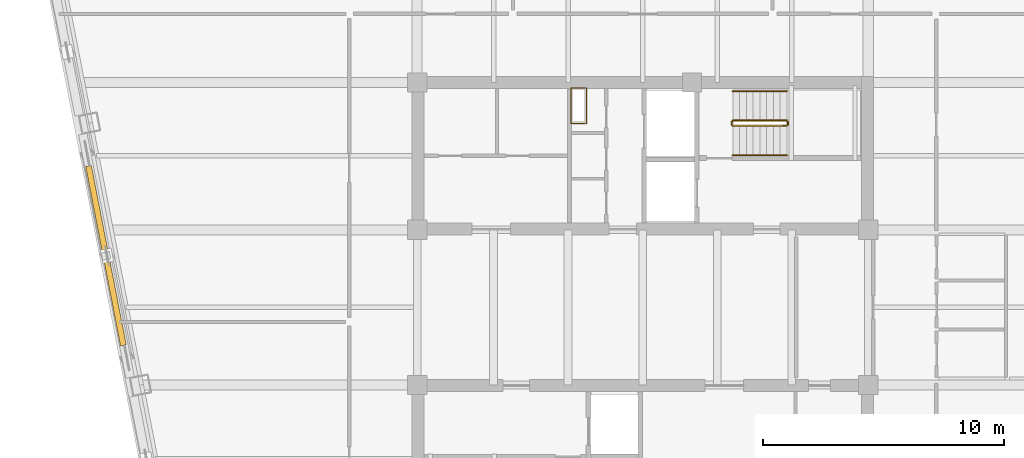
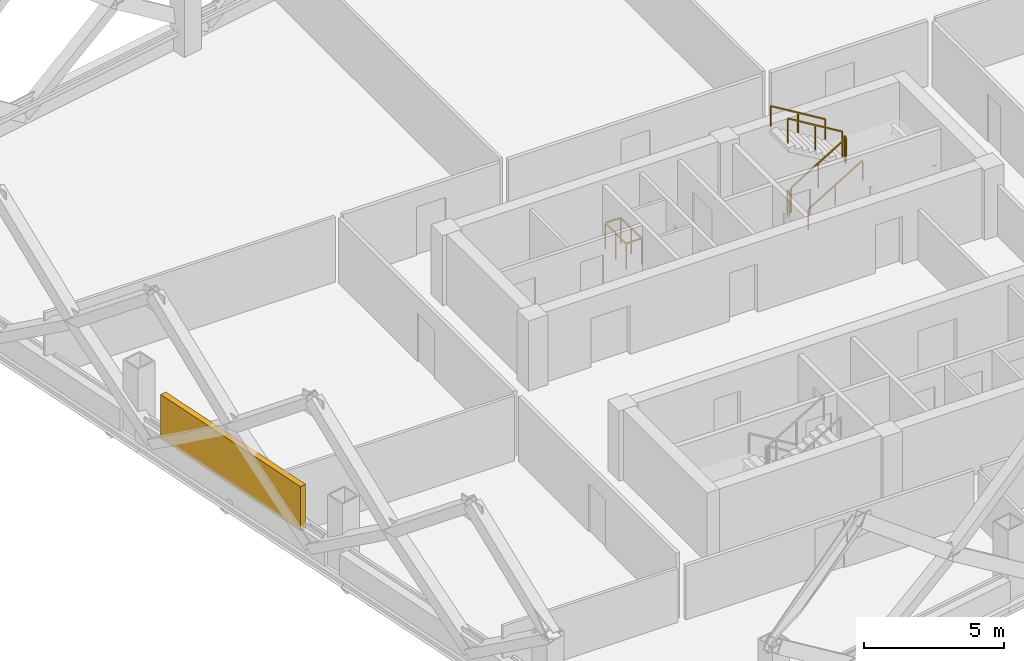
# One storey, part 8 of 9: 7 railings, 1 shading device.
"""IFC4 building model written with IfcOpenShell, lengths in metres."""

import ifcopenshell
import ifcopenshell.guid

model = None  # the IFC model being written
_history = None  # IfcOwnerHistory: only IFC2X3 demands one
_inside = {}  # id of a spatial element -> (the spatial element, [elements in it])
_under = {}  # id of a project, library or spatial element -> (it, [spatial elements below it])
_declared = {}  # id of a project -> (the project, [libraries it declares])
_typed = {}  # id of a type object -> (the type object, [elements of that type])
_made_of = {}  # id of a material, layer set ... -> (it, [elements and type objects made of it])


def new_model(schema):
    """Start an empty IFC model of exactly this schema.

    Asked for "IFC4X3", IfcOpenShell would pick the latest addendum, in which some entities
    have other attributes; the version numbers below select the first issue.
    IFC2X3 requires an IfcOwnerHistory on every rooted entity: one is made here for all.
    """
    global model, _history
    if schema == "IFC4X3":
        model = ifcopenshell.file(schema_version=(4, 3, 0, 0))
    else:
        model = ifcopenshell.file(schema=schema)
    _inside.clear()
    _under.clear()
    _declared.clear()
    _typed.clear()
    _made_of.clear()
    _history = None
    if model.schema == "IFC2X3":
        org = make("IfcOrganization", Name="unknown")
        user = make(
            "IfcPersonAndOrganization",
            ThePerson=make("IfcPerson", FamilyName="unknown"),
            TheOrganization=org,
        )
        app = make(
            "IfcApplication",
            ApplicationDeveloper=org,
            Version="unknown",
            ApplicationFullName="unknown",
            ApplicationIdentifier="unknown",
        )
        _history = make(
            "IfcOwnerHistory",
            OwningUser=user,
            OwningApplication=app,
            ChangeAction="ADDED",
            CreationDate=0,
        )
    return model


def make(cls, **values):
    """One entity of the class cls with the attributes given. An attribute that is None is left unset."""
    return model.create_entity(
        cls, **{name: value for name, value in values.items() if value is not None}
    )


def rooted(cls, **values):
    """An entity with a GlobalId (a new one), such as an element, a storey or a relation."""
    return make(cls, GlobalId=ifcopenshell.guid.new(), OwnerHistory=_history, **values)


def si_unit(unit_type, name, prefix=None):
    """IfcSIUnit, for example si_unit("LENGTHUNIT", "METRE", prefix="MILLI")."""
    return make("IfcSIUnit", UnitType=unit_type, Prefix=prefix, Name=name)


def assignment(units):
    """IfcUnitAssignment: the units of a project."""
    return None if units is None else make("IfcUnitAssignment", Units=units)


def point(xyz):
    """IfcCartesianPoint."""
    return None if xyz is None else make("IfcCartesianPoint", Coordinates=xyz)


def direction(xyz):
    """IfcDirection."""
    return None if xyz is None else make("IfcDirection", DirectionRatios=xyz)


def frame(location, z_axis=None, x_axis=None):
    """IfcAxis2Placement3D, a coordinate frame: its origin and axes. An axis left out is left unset."""
    return make(
        "IfcAxis2Placement3D",
        Location=point(location),
        Axis=direction(z_axis),
        RefDirection=direction(x_axis),
    )


def frame_2d(location, x_axis=None):
    """IfcAxis2Placement2D, a coordinate frame in the plane: its origin and x axis."""
    return make(
        "IfcAxis2Placement2D", Location=point(location), RefDirection=direction(x_axis)
    )


def origin():
    """The frame at (0, 0, 0) with its axes left unset."""
    return frame((0.0, 0.0, 0.0))


def origin_2d():
    """The frame at (0, 0) in the plane with its x axis left unset."""
    return frame_2d((0.0, 0.0))


def place(relative_to, where):
    """IfcLocalPlacement: puts the frame where relative to a parent placement (None: the world)."""
    return make(
        "IfcLocalPlacement", PlacementRelTo=relative_to, RelativePlacement=where
    )


def context(
    kind, dimensions, precision=None, world=None, true_north=None, identifier=None
):
    """IfcGeometricRepresentationContext, for example the 3D "Model" context."""
    return make(
        "IfcGeometricRepresentationContext",
        ContextIdentifier=identifier,
        ContextType=kind,
        CoordinateSpaceDimension=dimensions,
        Precision=precision,
        WorldCoordinateSystem=world,
        TrueNorth=true_north,
    )


def subcontext(parent, identifier, kind, view, scale=None):
    """IfcGeometricRepresentationSubContext, for example "Body" below "Model"."""
    return make(
        "IfcGeometricRepresentationSubContext",
        ContextIdentifier=identifier,
        ContextType=kind,
        ParentContext=parent,
        TargetScale=scale,
        TargetView=view,
    )


def project(units=None, contexts=None):
    """IfcProject with its units and contexts."""
    return rooted(
        "IfcProject",
        Name="project",
        RepresentationContexts=contexts,
        UnitsInContext=assignment(units),
    )


def spatial(cls, under=None, at=None, **own):
    """A site, building, storey or space (cls), placed at a placement, below another one or the project."""
    s = rooted(cls, ObjectPlacement=at, **own)
    if under is not None:
        _under.setdefault(under.id(), (under, []))[1].append(s)
    return s


def profile(cls, at=None, kind="AREA", **sizes):
    """A parametric profile (cls). Its sizes go by their IFC names, for example OverallWidth=200.0."""
    return make(cls, ProfileType=kind, Position=at, **sizes)


def rectangle(**sizes):
    """IfcRectangleProfileDef."""
    return profile("IfcRectangleProfileDef", **sizes)


def extrude(swept, where, along, depth):
    """IfcExtrudedAreaSolid: the profile swept, set in the frame where, extruded along a direction by depth."""
    return make(
        "IfcExtrudedAreaSolid",
        SweptArea=swept,
        Position=where,
        ExtrudedDirection=direction(along),
        Depth=depth,
    )


def shape(context_of_items, identifier, shape_type, items):
    """IfcShapeRepresentation: the items that make up one representation, for example the "Body"."""
    return make(
        "IfcShapeRepresentation",
        ContextOfItems=context_of_items,
        RepresentationIdentifier=identifier,
        RepresentationType=shape_type,
        Items=items,
    )


def material(Name=None, Category=None):
    """IfcMaterial."""
    return make("IfcMaterial", Name=Name, Category=Category)


def made_of(thing, what):
    """Note that an element or type object is made of a material, layer set ...; save() writes the relation."""
    if what is not None:
        _made_of.setdefault(what.id(), (what, []))[1].append(thing)
    return thing


def type_object(cls, material=None, **own):
    """A type object (cls), such as IfcWallType, which elements share."""
    return made_of(rooted(cls, **own), material)


def element(
    cls,
    number,
    at=None,
    inside=None,
    cuts=None,
    type_object=None,
    material=None,
    context=None,
    identifier="Body",
    shape_type=None,
    held_by="IfcProductDefinitionShape",
    body=None,
    shapes=None,
    **own,
):
    """One element of the class cls, such as IfcWall. Its Tag is "e" and its number.

    at: its placement. inside: the storey or other place that contains it. cuts: it is an
    opening in that element (IfcRelVoidsElement). A single representation is given by context,
    identifier, shape_type and body (its items); several are given by shapes. held_by: the class
    of the entity that holds the representations. save() writes the other relations.
    """
    e = rooted(cls, Tag="e%d" % number, ObjectPlacement=at, **own)
    if body is not None:
        shapes = [shape(context, identifier, shape_type, body)]
    if shapes is not None:
        e.Representation = make(held_by, Representations=shapes)
    if inside is not None:
        _inside.setdefault(inside.id(), (inside, []))[1].append(e)
    if cuts is not None:
        rooted(
            "IfcRelVoidsElement", RelatingBuildingElement=cuts, RelatedOpeningElement=e
        )
    if type_object is not None:
        _typed.setdefault(type_object.id(), (type_object, []))[1].append(e)
    return made_of(e, material)


def aggregate(whole, parts):
    """IfcRelAggregates: a whole, such as a stair, and the parts it consists of."""
    return rooted("IfcRelAggregates", RelatingObject=whole, RelatedObjects=parts)


def save(model, path):
    """Write the relations noted so far, then the file.

    IfcRelAggregates (storeys below a building ...), IfcRelContainedInSpatialStructure (elements
    in a storey), IfcRelDefinesByType, IfcRelAssociatesMaterial and IfcRelDeclares: one each for
    every whole, place, type object, material and project.
    """
    for whole, parts in _under.values():
        aggregate(whole, parts)
    for where, things in _inside.values():
        rooted(
            "IfcRelContainedInSpatialStructure",
            RelatedElements=things,
            RelatingStructure=where,
        )
    for kind, things in _typed.values():
        rooted("IfcRelDefinesByType", RelatedObjects=things, RelatingType=kind)
    for what, things in _made_of.values():
        rooted("IfcRelAssociatesMaterial", RelatedObjects=things, RelatingMaterial=what)
    for by, libraries in _declared.values():
        rooted("IfcRelDeclares", RelatingContext=by, RelatedDefinitions=libraries)
    model.write(path)


model = new_model("IFC4")

# Units and contexts
model_context = context("Model", 3, precision=1e-05, world=origin(), true_north=direction((0.0, 1.0)))
body_context = subcontext(model_context, "Body", "Model", "MODEL_VIEW")
ifc_project = project(units=[si_unit("LENGTHUNIT", "METRE"), si_unit("AREAUNIT", "SQUARE_METRE"), si_unit("VOLUMEUNIT", "CUBIC_METRE"), si_unit("PLANEANGLEUNIT", "RADIAN"), si_unit("MASSUNIT", "GRAM", prefix="KILO")], contexts=[model_context])

# Site, building, storey
site_placement = place(None, origin())
site = spatial("IfcSite", under=ifc_project, at=site_placement, CompositionType="ELEMENT")
building_placement = place(site_placement, origin())
building = spatial("IfcBuilding", under=site, at=building_placement, Name="Qhalaya Broadcast Tower", CompositionType="ELEMENT")
storey_placement = place(building_placement, frame((0.0, 0.0, 137.199951171875)))
storey = spatial("IfcBuildingStorey", under=building, at=storey_placement, Name="L40", CompositionType="ELEMENT", Elevation=137.199951171875)

# Railings
ifc_material_1 = material(Name="Powder-Coated Galvanised Steel", Category="steel")
railing_type_1 = type_object("IfcRailingType", Name="Stair Wall Handrail 900", PredefinedType="HANDRAIL", material=ifc_material_1)
railing_1_placement = place(storey_placement, frame((3.75, 6.929931640625, 0.16943359375)))
element("IfcRailing", 1, at=railing_1_placement, inside=storey, type_object=railing_type_1, Name="L40 ST-1 Stair Handrail 1", PredefinedType="HANDRAIL", context=body_context, shape_type="SweptSolid", body=[
    extrude(rectangle(XDim=0.048095703125, YDim=0.048095703125, at=origin_2d()), frame((0.0, 0.0, 0.8759765625), z_axis=(0.855512035549, 0.0, 0.517782924622), x_axis=(0.0, 1.0, 0.0)), (0.0, 0.0, 1.0), 2.618408203125),
    extrude(rectangle(XDim=0.0419921875, YDim=0.0419921875, at=origin_2d()), origin(), (0.0, 0.0, 1.0), 0.849853515625),
    extrude(rectangle(XDim=0.0419921875, YDim=0.0419921875, at=origin_2d()), frame((1.1201171875, 0.0, 0.677734375)), (0.0, 0.0, 1.0), 0.849853515625),
    extrude(rectangle(XDim=0.0419921875, YDim=0.0419921875, at=origin_2d()), frame((2.239990234375, 0.0, 1.355712890625)), (0.0, 0.0, 1.0), 0.849853515625),
])
railing_2_placement = place(storey_placement, frame((5.989990234375, 9.590087890625, 1.694580078125)))
element("IfcRailing", 2, at=railing_2_placement, inside=storey, type_object=railing_type_1, Name="L40 ST-1 Stair Handrail 2", PredefinedType="HANDRAIL", context=body_context, shape_type="SweptSolid", body=[
    extrude(rectangle(XDim=0.048095703125, YDim=0.048095703125, at=origin_2d()), frame((0.0, 0.0, 0.8759765625), z_axis=(-0.855553338991, 0.0, 0.51771467445), x_axis=(0.0, -1.0, 0.0)), (0.0, 0.0, 1.0), 2.6181640625),
    extrude(rectangle(XDim=0.0419921875, YDim=0.0419921875, at=origin_2d()), origin(), (0.0, 0.0, 1.0), 0.849853515625),
    extrude(rectangle(XDim=0.0419921875, YDim=0.0419921875, at=origin_2d()), frame((-1.1201171875, 0.0, 0.677734375)), (0.0, 0.0, 1.0), 0.849853515625),
    extrude(rectangle(XDim=0.0419921875, YDim=0.0419921875, at=origin_2d()), frame((-2.239990234375, 0.0, 1.35546875)), (0.0, 0.0, 1.0), 0.849853515625),
])
railing_type_2 = type_object("IfcRailingType", Name="Stair Well & Landing Guardrail 1100", PredefinedType="GUARDRAIL", material=ifc_material_1)
railing_3_placement = place(storey_placement, frame((-2.340087890625, 8.239990234375, 0.0)))
element("IfcRailing", 3, at=railing_3_placement, inside=storey, type_object=railing_type_2, Name="L40 Service Riser Opening Safety Guard NRSR", PredefinedType="GUARDRAIL", context=body_context, shape_type="SweptSolid", body=[
    extrude(rectangle(XDim=0.048095703125, YDim=0.048095703125, at=origin_2d()), frame((0.0, 0.02880859375, 1.1259765625), z_axis=(0.0, 1.0, 0.0), x_axis=(-1.0, 0.0, 0.0)), (0.0, 0.0, 1.0), 1.42236328125),
    extrude(rectangle(XDim=0.048095703125, YDim=0.048095703125, at=origin_2d()), frame((-0.02880859375, 1.47998046875, 1.1259765625), z_axis=(-1.0, 0.0, 0.0), x_axis=(0.0, -1.0, 0.0)), (0.0, 0.0, 1.0), 0.582275390625),
    extrude(rectangle(XDim=0.048095703125, YDim=0.048095703125, at=origin_2d()), frame((-0.639892578125, 1.451171875, 1.1259765625), z_axis=(0.0, -1.0, 0.0), x_axis=(1.0, 0.0, 0.0)), (0.0, 0.0, 1.0), 1.42236328125),
    extrude(rectangle(XDim=0.048095703125, YDim=0.048095703125, at=origin_2d()), frame((-0.611083984375, 0.0, 1.1259765625), z_axis=(1.0, 0.0, 0.0), x_axis=(0.0, 1.0, 0.0)), (0.0, 0.0, 1.0), 0.582275390625),
    extrude(rectangle(XDim=0.0419921875, YDim=0.0419921875, at=origin_2d()), origin(), (0.0, 0.0, 1.0), 1.099853515625),
    extrude(rectangle(XDim=0.0419921875, YDim=0.0419921875, at=origin_2d()), frame((0.0, 0.739990234375, 0.0)), (0.0, 0.0, 1.0), 1.099853515625),
    extrude(rectangle(XDim=0.0419921875, YDim=0.0419921875, at=origin_2d()), frame((0.0, 1.47998046875, 0.0)), (0.0, 0.0, 1.0), 1.099853515625),
    extrude(rectangle(XDim=0.0419921875, YDim=0.0419921875, at=origin_2d()), frame((-0.639892578125, 1.47998046875, 0.0)), (0.0, 0.0, 1.0), 1.099853515625),
    extrude(rectangle(XDim=0.0419921875, YDim=0.0419921875, at=origin_2d()), frame((-0.639892578125, 0.739990234375, 0.0)), (0.0, 0.0, 1.0), 1.099853515625),
    extrude(rectangle(XDim=0.0419921875, YDim=0.0419921875, at=origin_2d()), frame((-0.639892578125, 0.0, 0.0)), (0.0, 0.0, 1.0), 1.099853515625),
])
railing_4_placement = place(storey_placement, frame((3.75, 8.14990234375, 0.16943359375)))
element("IfcRailing", 4, at=railing_4_placement, inside=storey, type_object=railing_type_2, Name="L40 ST-1 Stair Guard 1", PredefinedType="GUARDRAIL", context=body_context, shape_type="SweptSolid", body=[
    extrude(rectangle(XDim=0.048095703125, YDim=0.048095703125, at=origin_2d()), frame((0.0, 0.0, 1.076171875), z_axis=(0.855512035549, 0.0, 0.517782924622), x_axis=(0.0, 1.0, 0.0)), (0.0, 0.0, 1.0), 2.618408203125),
    extrude(rectangle(XDim=0.0419921875, YDim=0.0419921875, at=origin_2d()), origin(), (0.0, 0.0, 1.0), 1.050048828125),
    extrude(rectangle(XDim=0.0419921875, YDim=0.0419921875, at=origin_2d()), frame((1.1201171875, 0.0, 0.677734375)), (0.0, 0.0, 1.0), 1.050048828125),
    extrude(rectangle(XDim=0.0419921875, YDim=0.0419921875, at=origin_2d()), frame((2.239990234375, 0.0, 1.355712890625)), (0.0, 0.0, 1.0), 1.050048828125),
])
railing_5_placement = place(storey_placement, frame((6.0400390625, 8.199951171875, 1.525146484375)))
element("IfcRailing", 5, at=railing_5_placement, inside=storey, type_object=railing_type_2, Name="L40 ST-1 Stair Guard 2", PredefinedType="GUARDRAIL", context=body_context, shape_type="SweptSolid", body=[
    extrude(rectangle(XDim=0.048095703125, YDim=0.048095703125, at=origin_2d()), frame((0.0, 0.0, 1.076171875), z_axis=(0.0, 1.0, 0.0), x_axis=(-1.0, 0.0, 0.0)), (0.0, 0.0, 1.0), 0.1201171875),
    extrude(rectangle(XDim=0.0419921875, YDim=0.0419921875, at=origin_2d()), origin(), (0.0, 0.0, 1.0), 1.050048828125),
    extrude(rectangle(XDim=0.0419921875, YDim=0.0419921875, at=origin_2d()), frame((0.0, 0.1201171875, 0.0)), (0.0, 0.0, 1.0), 1.050048828125),
])
railing_6_placement = place(storey_placement, frame((5.989990234375, 8.3701171875, 1.694580078125)))
element("IfcRailing", 6, at=railing_6_placement, inside=storey, type_object=railing_type_2, Name="L40 ST-1 Stair Guard 3", PredefinedType="GUARDRAIL", context=body_context, shape_type="SweptSolid", body=[
    extrude(rectangle(XDim=0.048095703125, YDim=0.048095703125, at=origin_2d()), frame((0.0, 0.0, 1.076171875), z_axis=(-0.855553338991, 0.0, 0.51771467445), x_axis=(0.0, -1.0, 0.0)), (0.0, 0.0, 1.0), 2.6181640625),
    extrude(rectangle(XDim=0.0419921875, YDim=0.0419921875, at=origin_2d()), origin(), (0.0, 0.0, 1.0), 1.050048828125),
    extrude(rectangle(XDim=0.0419921875, YDim=0.0419921875, at=origin_2d()), frame((-1.1201171875, 0.0, 0.677734375)), (0.0, 0.0, 1.0), 1.050048828125),
    extrude(rectangle(XDim=0.0419921875, YDim=0.0419921875, at=origin_2d()), frame((-2.239990234375, 0.0, 1.35546875)), (0.0, 0.0, 1.0), 1.050048828125),
])
railing_7_placement = place(storey_placement, frame((3.699951171875, 8.199951171875, 0.0)))
element("IfcRailing", 7, at=railing_7_placement, inside=storey, type_object=railing_type_2, Name="L40 ST-1 Stair Guard 4", PredefinedType="GUARDRAIL", context=body_context, shape_type="SweptSolid", body=[
    extrude(rectangle(XDim=0.048095703125, YDim=0.048095703125, at=origin_2d()), frame((0.0, 0.0, 1.076171875), z_axis=(0.0, 1.0, 0.0), x_axis=(-1.0, 0.0, 0.0)), (0.0, 0.0, 1.0), 0.1201171875),
    extrude(rectangle(XDim=0.0419921875, YDim=0.0419921875, at=origin_2d()), origin(), (0.0, 0.0, 1.0), 1.050048828125),
    extrude(rectangle(XDim=0.0419921875, YDim=0.0419921875, at=origin_2d()), frame((0.0, 0.1201171875, 0.0)), (0.0, 0.0, 1.0), 1.050048828125),
])

# Shading device
ifc_material_2 = material(Name="Fired Architectural Terracotta", Category="masonry")
shading_device_type = type_object("IfcShadingDeviceType", Name="Terracotta Baguette Solar Screen Assembly TBS-01", PredefinedType="USERDEFINED", material=ifc_material_2)
shading_device_placement = place(storey_placement, frame((-22.3125, 2.742919921875, 0.79248046875), z_axis=(0.0, 0.0, 1.0), x_axis=(0.190808995377, -0.981627183448, 0.0)))
element("IfcShadingDevice", 8, at=shading_device_placement, inside=storey, type_object=shading_device_type, Name="L40 Fired Terracotta Baguette Screen W", ObjectType="BAGUETTE", PredefinedType="USERDEFINED", context=body_context, shape_type="SweptSolid", body=[
    extrude(rectangle(XDim=7.60009765625, YDim=0.239990234375, at=origin_2d()), origin(), (0.0, 0.0, 1.0), 1.924072265625),
])

save(model, "model.ifc")
